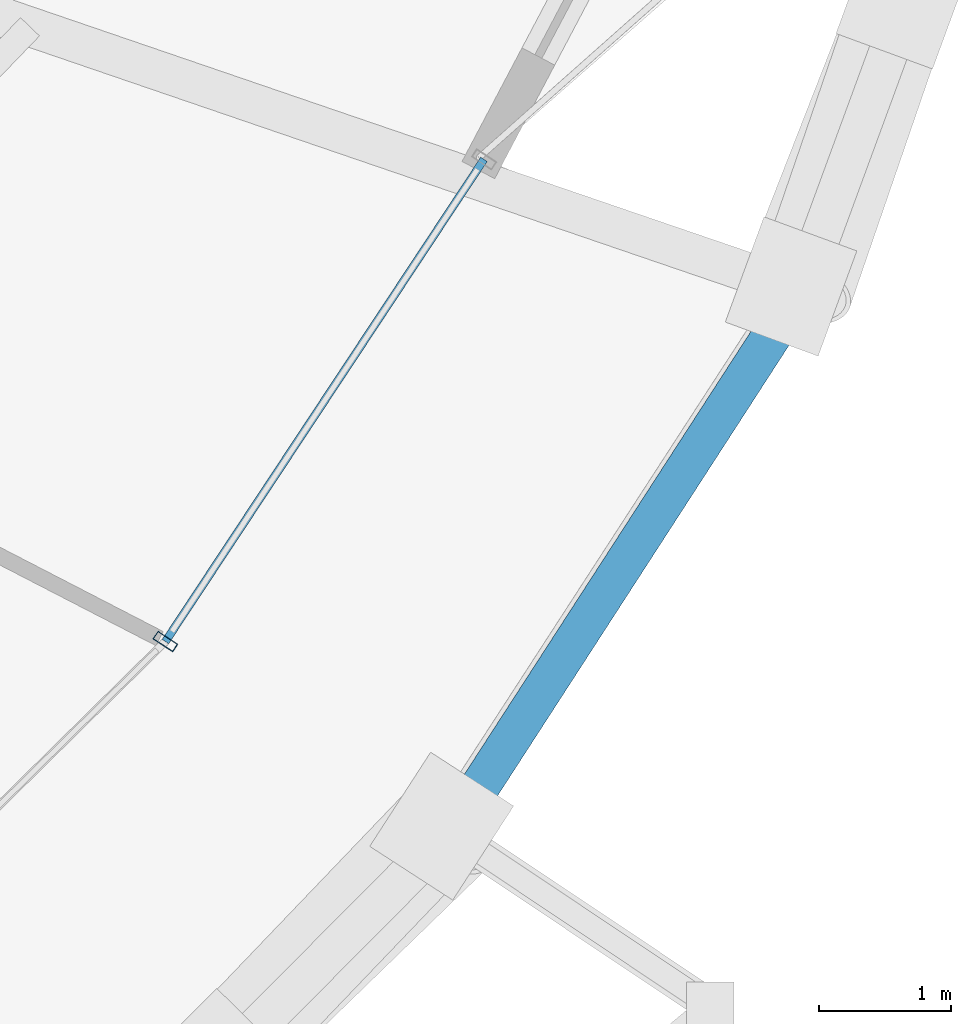
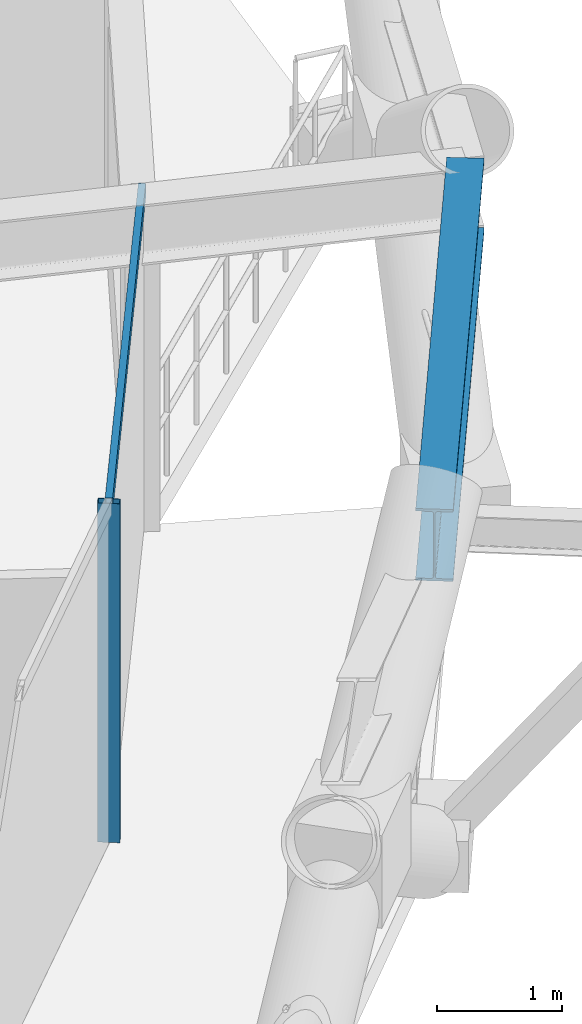
# One storey, part 10 of 21: 2 members, 1 beam, 1 element without a shape of its own.
"""IFC4 building model written with IfcOpenShell, lengths in metres."""

from ifc_helpers import new_model, si_unit, direction, frame, origin, origin_2d, place, context, subcontext, project, spatial, hollow_rectangle, i_section, extrude, material, layer, layer_set, material_profile, profile_set, type_object, element, aggregate, save


model = new_model("IFC4")

# Units and contexts
model_context = context("Model", 3, precision=1e-05, world=origin(), true_north=direction((0.0, 1.0)))
body_context = subcontext(model_context, "Body", "Model", "MODEL_VIEW")
ifc_project = project(units=[si_unit("LENGTHUNIT", "METRE"), si_unit("AREAUNIT", "SQUARE_METRE"), si_unit("VOLUMEUNIT", "CUBIC_METRE"), si_unit("PLANEANGLEUNIT", "RADIAN"), si_unit("MASSUNIT", "GRAM", prefix="KILO")], contexts=[model_context])

# Site, building, storey
site_placement = place(None, origin())
site = spatial("IfcSite", under=ifc_project, at=site_placement, CompositionType="ELEMENT")
building_placement = place(site_placement, origin())
building = spatial("IfcBuilding", under=site, at=building_placement, Name="Veldorina Hangang Commons", CompositionType="ELEMENT")
storey_placement = place(building_placement, frame((0.0, 0.0, 59.199951171875)))
storey = spatial("IfcBuildingStorey", under=building, at=storey_placement, Name="L14", CompositionType="ELEMENT", Elevation=59.199951171875)

# Beam
ifc_material_1 = material(Name="Steel SM460-TMC", Category="steel")
ifc_material_profile_1 = material_profile(ifc_material_1, i_section(OverallWidth=0.300048828125, OverallDepth=0.699951171875, WebThickness=0.012939453125, FlangeThickness=0.02392578125, FilletRadius=0.02197265625, at=origin_2d()), Name="H-700x300x13x24")
ifc_profile_set_1 = profile_set([ifc_material_profile_1], Name="Steel SM460-TMC")
beam_type = type_object("IfcBeamType", Name="BM-RB700", PredefinedType="BEAM", material=ifc_profile_set_1)
beam_placement = place(storey_placement, frame((55.90771484375, 10.80322265625, 2.989990234375), z_axis=(0.543209885718, 0.839596939048, 0.0), x_axis=(-0.839596939048, 0.543209885718, 0.0)))
element("IfcBeam", 1, at=beam_placement, inside=storey, type_object=beam_type, Name="L14 perimeter hoop ring beam 29", PredefinedType="BEAM", context=body_context, shape_type="SweptSolid", body=[
    extrude(i_section(OverallWidth=0.300048828125, OverallDepth=0.699951171875, WebThickness=0.012939453125, FlangeThickness=0.02392578125, FilletRadius=0.02197265625, at=origin_2d()), origin(), (0.0, 0.0, 1.0), 4.891357421875),
])

# Curtain wall, members
ifc_material_2 = material(Name="Glass Low-E Triple IGU", Category="glass")
ifc_layer = layer(ifc_material_2, 0.179931640625)
ifc_layer_set = layer_set([ifc_layer], Name="Glass Low-E Triple IGU")
curtain_wall_type = type_object("IfcCurtainWallType", Name="CW-SYS-Z1", PredefinedType="NOTDEFINED", material=ifc_layer_set)
curtain_wall_placement = place(storey_placement, origin())
curtain_wall = element("IfcCurtainWall", 2, at=curtain_wall_placement, inside=storey, type_object=curtain_wall_type, Name="L14 unitised curtain wall CW-L14-R2", PredefinedType="NOTDEFINED")
ifc_material_3 = material(Name="Aluminium Anodized AA6063-T6", Category="aluminium")
ifc_material_profile_2 = material_profile(ifc_material_3, hollow_rectangle(XDim=0.070068359375, YDim=0.179931640625, WallThickness=0.00390625, at=origin_2d()), Name="ALU-RHS-180x70x4")
ifc_profile_set_2 = profile_set([ifc_material_profile_2], Name="Aluminium Anodized AA6063-T6")
member_type_1 = type_object("IfcMemberType", Name="CW-MUL-180", PredefinedType="MULLION", material=ifc_profile_set_2)
member_1_placement = place(storey_placement, frame((53.7451171875, 12.248291015625, 0.0), z_axis=(0.0, 0.0, 1.0), x_axis=(0.551325566843, 0.83429018893, 0.0)))
member_1 = element("IfcMember", 3, at=member_1_placement, type_object=member_type_1, Name="CW-L14-R2 vertical mullion 3", PredefinedType="MULLION", context=body_context, shape_type="SweptSolid", body=[
    extrude(hollow_rectangle(XDim=0.070068359375, YDim=0.179931640625, WallThickness=0.00390625, at=origin_2d()), origin(), (0.0, 0.0, 1.0), 3.300048828125),
])
ifc_material_profile_3 = material_profile(ifc_material_3, hollow_rectangle(XDim=0.06005859375, YDim=0.139892578125, WallThickness=0.00341796875, at=origin_2d()), Name="ALU-RHS-140x60x3.5")
ifc_profile_set_3 = profile_set([ifc_material_profile_3], Name="Aluminium Anodized AA6063-T6")
member_type_2 = type_object("IfcMemberType", Name="CW-TRN-140", PredefinedType="USERDEFINED", material=ifc_profile_set_3)
member_2_placement = place(storey_placement, frame((53.7451171875, 12.248291015625, 3.260009765625), z_axis=(0.551341036339, 0.834279965988, 0.0), x_axis=(-0.834279965988, 0.551341036339, 0.0)))
member_2 = element("IfcMember", 4, at=member_2_placement, type_object=member_type_2, Name="CW-L14-R2 facet 5 transom 1", ObjectType="TRANSOM", PredefinedType="USERDEFINED", context=body_context, shape_type="SweptSolid", body=[
    extrude(hollow_rectangle(XDim=0.06005859375, YDim=0.139892578125, WallThickness=0.00341796875, at=origin_2d()), origin(), (0.0, 0.0, 1.0), 4.38330078125),
])
aggregate(curtain_wall, [member_1, member_2])

save(model, "model.ifc")
